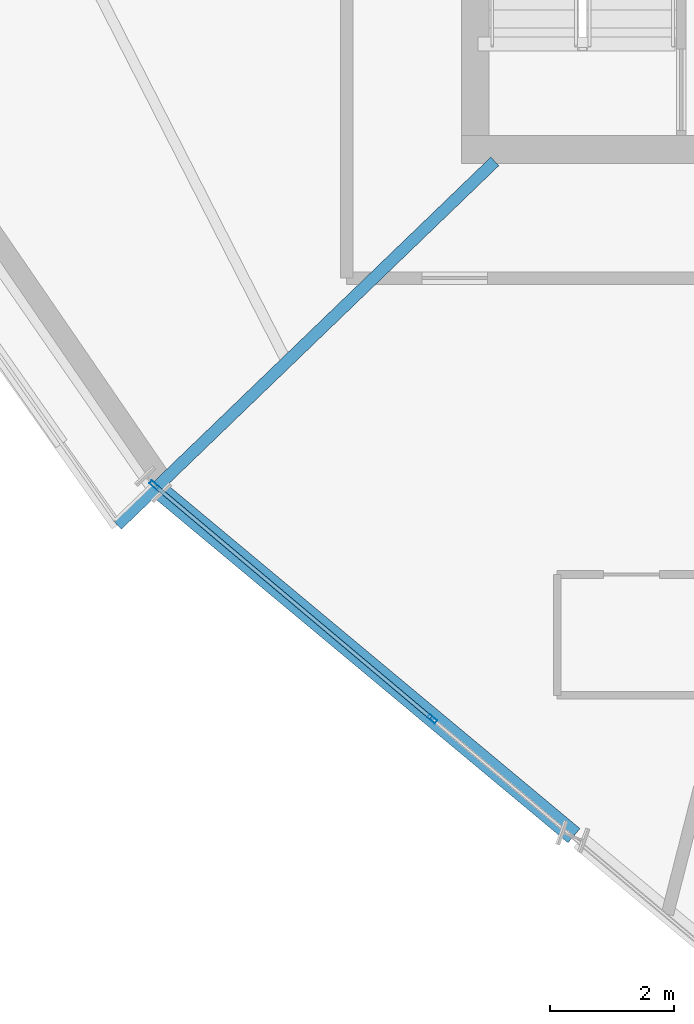
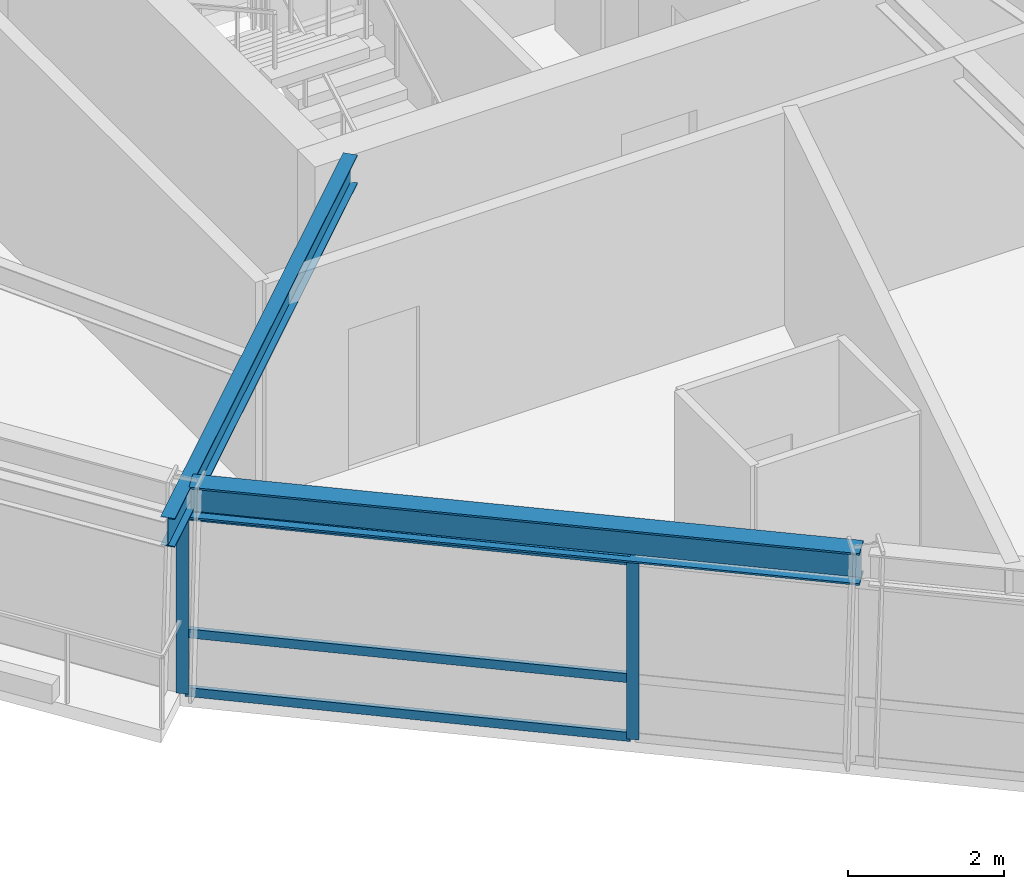
# One storey, part 2 of 14: 5 members, 2 beams, 1 element without a shape of its own.
"""IFC4 building model written with IfcOpenShell, lengths in metres."""

from ifc_helpers import new_model, si_unit, direction, frame, origin, origin_2d, place, context, subcontext, project, spatial, hollow_rectangle, i_section, extrude, source, transform, mapped, material, material_profile, profile_set, type_object, element, aggregate, save


model = new_model("IFC4")

# Units and contexts
model_context = context("Model", 3, precision=1e-05, world=origin(), true_north=direction((0.0, 1.0)))
body_context = subcontext(model_context, "Body", "Model", "MODEL_VIEW")
ifc_project = project(units=[si_unit("LENGTHUNIT", "METRE"), si_unit("AREAUNIT", "SQUARE_METRE"), si_unit("VOLUMEUNIT", "CUBIC_METRE"), si_unit("PLANEANGLEUNIT", "RADIAN"), si_unit("MASSUNIT", "GRAM", prefix="KILO")], contexts=[model_context])

# Site, building, storey
site_placement = place(None, origin())
site = spatial("IfcSite", under=ifc_project, at=site_placement, CompositionType="ELEMENT")
building_placement = place(site_placement, origin())
building = spatial("IfcBuilding", under=site, at=building_placement, Name="Olszyna Solenne Hotel", CompositionType="ELEMENT")
storey_placement = place(building_placement, frame((0.0, 0.0, 216.699951171875)))
storey = spatial("IfcBuildingStorey", under=building, at=storey_placement, Name="L57", CompositionType="ELEMENT", Elevation=216.699951171875)

# Beams
ifc_material_1 = material(Name="Steel S355J2", Category="steel")
ifc_material_profile_1 = material_profile(ifc_material_1, i_section(OverallWidth=0.300048828125, OverallDepth=0.5, WebThickness=0.014404296875, FlangeThickness=0.028076171875, at=origin_2d()), Name="HEB 500", Category="load-bearing")
ifc_profile_set_1 = profile_set([ifc_material_profile_1], Name="Steel S355J2")
beam_type_1 = type_object("IfcBeamType", Name="BM-S3", PredefinedType="BEAM", material=ifc_profile_set_1)
shared_shape_1 = source(origin(), body_context, "Body", "SweptSolid", [
    extrude(i_section(OverallWidth=0.300048828125, OverallDepth=0.5, WebThickness=0.014404296875, FlangeThickness=0.028076171875, at=origin_2d()), origin(), (0.0, 0.0, 1.0), 8.718994140625),
])
beam_1_placement = place(storey_placement, frame((24.771728515625, 13.784912109375, 3.080078125), z_axis=(0.768150124892, -0.640269775664, 0.0), x_axis=(0.640269775664, 0.768150124892, 0.0)))
element("IfcBeam", 1, at=beam_1_placement, inside=storey, type_object=beam_type_1, Name="Perimeter spandrel beam BM-S3 B-L57-1685", PredefinedType="BEAM", context=body_context, shape_type="MappedRepresentation", body=[
    mapped(shared_shape_1, transform((0.0, 0.0, 0.0), x_axis=(1.0, 0.0, 0.0), y_axis=(0.0, 1.0, 0.0), z_axis=(0.0, 0.0, 1.0), scale=1.0)),
])
ifc_material_profile_2 = material_profile(ifc_material_1, i_section(OverallWidth=0.18994140625, OverallDepth=0.449951171875, WebThickness=0.009521484375, FlangeThickness=0.0146484375, at=origin_2d()), Name="IPE 450", Category="load-bearing")
ifc_profile_set_2 = profile_set([ifc_material_profile_2], Name="Steel S355J2")
beam_type_2 = type_object("IfcBeamType", Name="BM-F4", PredefinedType="BEAM", material=ifc_profile_set_2)
shared_shape_2 = source(origin(), body_context, "Body", "SweptSolid", [
    extrude(i_section(OverallWidth=0.18994140625, OverallDepth=0.449951171875, WebThickness=0.009521484375, FlangeThickness=0.0146484375, at=origin_2d()), origin(), (0.0, 0.0, 1.0), 8.45751953125),
])
beam_2_placement = place(storey_placement, frame((24.100830078125, 13.21728515625, 3.10498046875), z_axis=(0.720204283181, 0.693762056102, 0.0), x_axis=(-0.693762056102, 0.720204283181, 0.0)))
element("IfcBeam", 2, at=beam_2_placement, inside=storey, type_object=beam_type_2, Name="Radial floor girder BM-F4 B-L57-1696", PredefinedType="BEAM", context=body_context, shape_type="MappedRepresentation", body=[
    mapped(shared_shape_2, transform((0.0, 0.0, 0.0), x_axis=(1.0, 0.0, 0.0), y_axis=(0.0, 1.0, 0.0), z_axis=(0.0, 0.0, 1.0), scale=1.0)),
])

# Curtain wall, members
ifc_material_2 = material(Name="Anodised bronze aluminium", Category="aluminium")
curtain_wall_type = type_object("IfcCurtainWallType", Name="CW-SYS-4", PredefinedType="NOTDEFINED", material=ifc_material_2)
curtain_wall_placement = place(storey_placement, origin())
curtain_wall = element("IfcCurtainWall", 3, at=curtain_wall_placement, inside=storey, type_object=curtain_wall_type, Name="Unitised curtain wall CW-SYS-4 CW-L57-01", PredefinedType="NOTDEFINED")
ifc_material_profile_3 = material_profile(ifc_material_2, hollow_rectangle(XDim=0.06494140625, YDim=0.159912109375, WallThickness=0.00390625, at=origin_2d()), Name="MULL 160x65x4", Category="load-bearing")
ifc_profile_set_3 = profile_set([ifc_material_profile_3], Name="Anodised bronze aluminium")
member_type_1 = type_object("IfcMemberType", Name="CW-M3", PredefinedType="MULLION", material=ifc_profile_set_3)
shared_shape_3 = source(origin(), body_context, "Body", "SweptSolid", [
    extrude(hollow_rectangle(XDim=0.06494140625, YDim=0.159912109375, WallThickness=0.00390625, at=origin_2d()), origin(), (0.0, 0.0, 1.0), 2.822021484375),
])
member_1_placement = place(storey_placement, frame((24.69482421875, 13.8603515625, 0.0), z_axis=(0.0, 0.0, 1.0), x_axis=(0.643622076412, 0.76534346718, 0.0)))
member_1 = element("IfcMember", 4, at=member_1_placement, type_object=member_type_1, Name="Curtain-wall mullion CW-M3 CM-L57-01-01", PredefinedType="MULLION", context=body_context, shape_type="MappedRepresentation", body=[
    mapped(shared_shape_3, transform((0.0, 0.0, 0.0), x_axis=(1.0, 0.0, 0.0), y_axis=(0.0, 1.0, 0.0), z_axis=(0.0, 0.0, 1.0), scale=1.0)),
])
member_2_placement = place(storey_placement, frame((29.179931640625, 10.088623046875, 0.0), z_axis=(0.0, 0.0, 1.0), x_axis=(0.643622076412, 0.76534346718, 0.0)))
member_2 = element("IfcMember", 5, at=member_2_placement, type_object=member_type_1, Name="Curtain-wall mullion CW-M3 CM-L57-01-02", PredefinedType="MULLION", context=body_context, shape_type="MappedRepresentation", body=[
    mapped(shared_shape_3, transform((0.0, 0.0, 0.0), x_axis=(1.0, 0.0, 0.0), y_axis=(0.0, 1.0, 0.0), z_axis=(0.0, 0.0, 1.0), scale=1.0)),
])
ifc_material_profile_4 = material_profile(ifc_material_2, hollow_rectangle(XDim=0.06494140625, YDim=0.139892578125, WallThickness=0.00390625, at=origin_2d()), Name="TRAN 140x65x4", Category="load-bearing")
ifc_profile_set_4 = profile_set([ifc_material_profile_4], Name="Anodised bronze aluminium")
member_type_2 = type_object("IfcMemberType", Name="CW-T2", PredefinedType="USERDEFINED", material=ifc_profile_set_4)
shared_shape_4 = source(origin(), body_context, "Body", "SweptSolid", [
    extrude(hollow_rectangle(XDim=0.06494140625, YDim=0.139892578125, WallThickness=0.00390625, at=origin_2d()), origin(), (0.0, 0.0, 1.0), 5.795166015625),
])
member_3_placement = place(storey_placement, frame((24.7197265625, 13.83935546875, 0.032470703125), z_axis=(0.76535784112, -0.643604983695, 0.0), x_axis=(0.643604983695, 0.76535784112, 0.0)))
member_3 = element("IfcMember", 6, at=member_3_placement, type_object=member_type_2, Name="Curtain-wall transom CW-T2 CT-L57-01-01", ObjectType="TRANSOM", PredefinedType="USERDEFINED", context=body_context, shape_type="MappedRepresentation", body=[
    mapped(shared_shape_4, transform((0.0, 0.0, 0.0), x_axis=(1.0, 0.0, 0.0), y_axis=(0.0, 1.0, 0.0), z_axis=(0.0, 0.0, 1.0), scale=1.0)),
])
member_4_placement = place(storey_placement, frame((24.7197265625, 13.83935546875, 0.949951171875), z_axis=(0.76535784112, -0.643604983695, 0.0), x_axis=(0.643604983695, 0.76535784112, 0.0)))
member_4 = element("IfcMember", 7, at=member_4_placement, type_object=member_type_2, Name="Curtain-wall transom CW-T2 CT-L57-01-02", ObjectType="TRANSOM", PredefinedType="USERDEFINED", context=body_context, shape_type="MappedRepresentation", body=[
    mapped(shared_shape_4, transform((0.0, 0.0, 0.0), x_axis=(1.0, 0.0, 0.0), y_axis=(0.0, 1.0, 0.0), z_axis=(0.0, 0.0, 1.0), scale=1.0)),
])
member_5_placement = place(storey_placement, frame((24.7197265625, 13.83935546875, 2.78955078125), z_axis=(0.76535784112, -0.643604983695, 0.0), x_axis=(0.643604983695, 0.76535784112, 0.0)))
member_5 = element("IfcMember", 8, at=member_5_placement, type_object=member_type_2, Name="Curtain-wall transom CW-T2 CT-L57-01-03", ObjectType="TRANSOM", PredefinedType="USERDEFINED", context=body_context, shape_type="MappedRepresentation", body=[
    mapped(shared_shape_4, transform((0.0, 0.0, 0.0), x_axis=(1.0, 0.0, 0.0), y_axis=(0.0, 1.0, 0.0), z_axis=(0.0, 0.0, 1.0), scale=1.0)),
])
aggregate(curtain_wall, [member_1, member_2, member_3, member_4, member_5])

save(model, "model.ifc")
